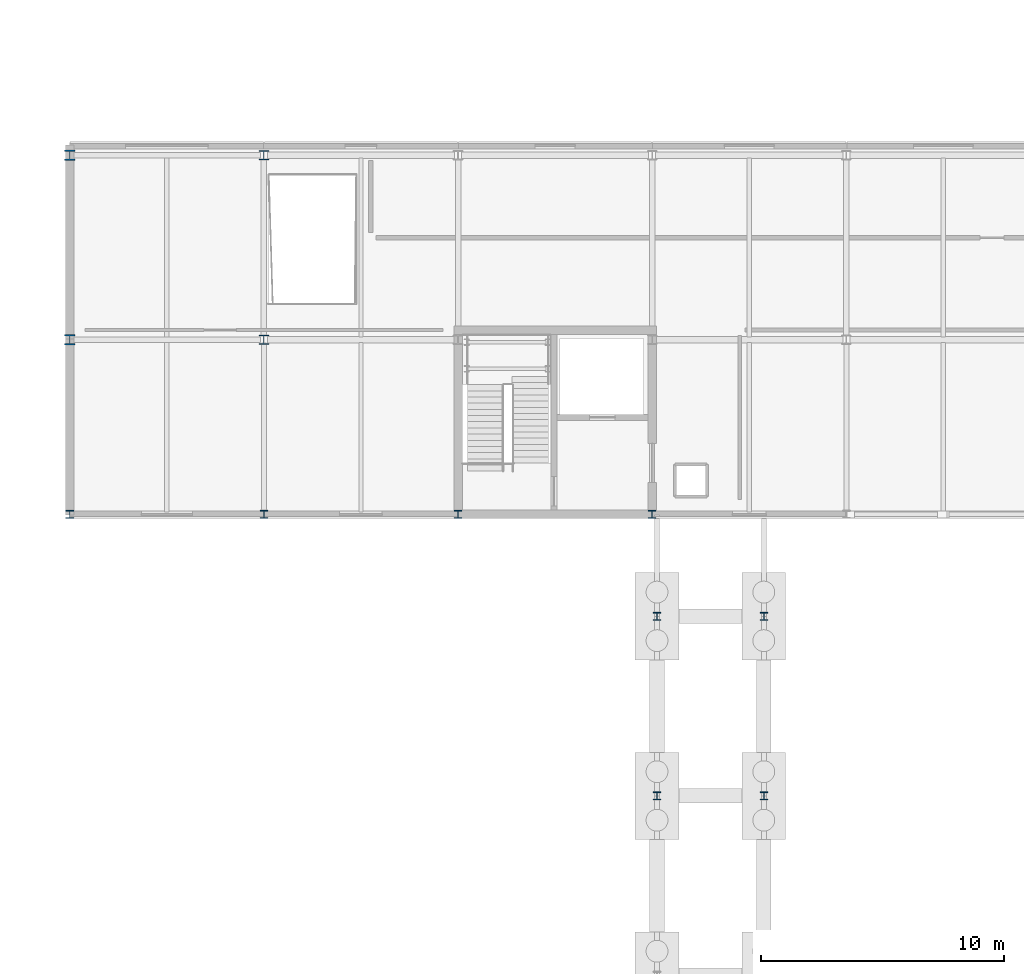
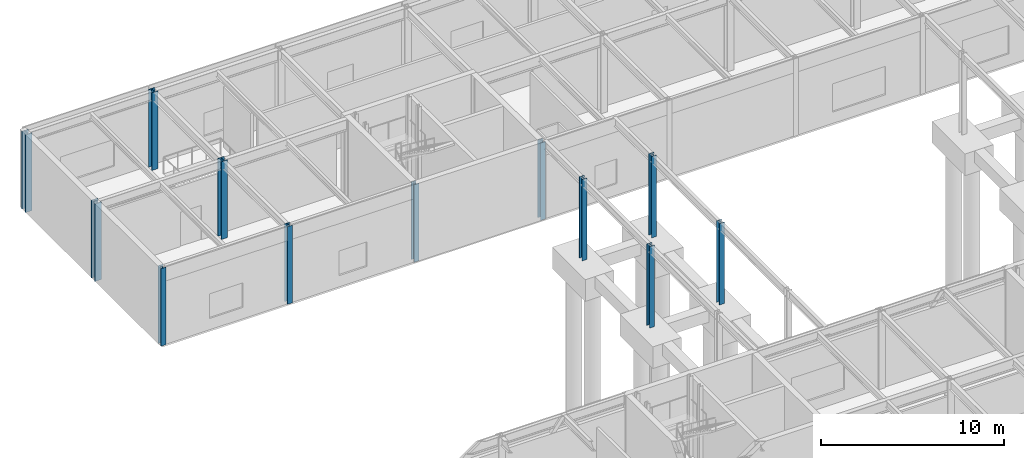
# One storey, part 12 of 62: 12 columns.
"""IFC4 building model written with IfcOpenShell, lengths in metres."""

from ifc_helpers import new_model, si_unit, direction, frame, origin, origin_2d, place, context, subcontext, project, spatial, i_section, extrude, material, material_profile, profile_set, type_object, element, save


model = new_model("IFC4")

# Units and contexts
model_context = context("Model", 3, precision=1e-05, world=origin(), true_north=direction((0.0, 1.0)))
body_context = subcontext(model_context, "Body", "Model", "MODEL_VIEW")
ifc_project = project(units=[si_unit("LENGTHUNIT", "METRE"), si_unit("AREAUNIT", "SQUARE_METRE"), si_unit("VOLUMEUNIT", "CUBIC_METRE"), si_unit("PLANEANGLEUNIT", "RADIAN"), si_unit("MASSUNIT", "GRAM", prefix="KILO")], contexts=[model_context])

# Site, building, storey
site_placement = place(None, origin())
site = spatial("IfcSite", under=ifc_project, at=site_placement, CompositionType="ELEMENT")
building_placement = place(site_placement, origin())
building = spatial("IfcBuilding", under=site, at=building_placement, Name="Zulena Civic Courthouse", CompositionType="ELEMENT")
storey_placement = place(building_placement, origin())
storey = spatial("IfcBuildingStorey", under=building, at=storey_placement, Name="L00", CompositionType="ELEMENT", Elevation=0.0)

# Columns
ifc_material = material(Name="Steel ASTM A992 Grade 50", Category="steel")
ifc_material_profile_1 = material_profile(ifc_material, i_section(OverallWidth=0.31298828125, OverallDepth=0.3330078125, WebThickness=0.01806640625, FlangeThickness=0.0283203125, FilletRadius=0.01513671875, at=origin_2d()), Name="W12X120")
ifc_profile_set_1 = profile_set([ifc_material_profile_1], Name="Steel ASTM A992 Grade 50")
column_type_1 = type_object("IfcColumnType", Name="Col_W12X120", PredefinedType="COLUMN", material=ifc_profile_set_1)
for number, where, z_axis, x_axis, name in (
    (1, (4.0, 46.0, 0.0), (0.0, 0.0, 1.0), (1.0, 0.0, 0.0), "col:V5:L00:4.0:46.0"),
    (2, (12.0, 46.0, 0.0), (0.0, 0.0, 1.0), (1.0, 0.0, 0.0), "col:V5:L00:12.0:46.0"),
    (3, (20.0, 46.0, 0.0), (0.0, 0.0, 1.0), (1.0, 0.0, 0.0), "col:V5:L00:20.0:46.0"),
    (4, (28.0, 46.0, 0.0), (0.0, 0.0, 1.0), (1.0, 0.0, 0.0), "col:V5:L00:28.0:46.0"),
):
    element("IfcColumn", number, at=place(storey_placement, frame(where, z_axis=z_axis, x_axis=x_axis)), inside=storey, type_object=column_type_1, Name=name, PredefinedType="COLUMN", context=body_context, shape_type="SweptSolid", body=[
        extrude(i_section(OverallWidth=0.31298828125, OverallDepth=0.3330078125, WebThickness=0.01806640625, FlangeThickness=0.0283203125, FilletRadius=0.01513671875, at=origin_2d()), origin(), (0.0, 0.0, 1.0), 5.18505859375),
    ])
for number, where, z_axis, x_axis, name in (
    (5, (28.199951171875, 34.39990234375, -0.22998046875), (0.0, 0.0, 1.0), (1.0, 0.0, 0.0), "col:bridge:BR-52J:L00:28.20:34.40"),
    (6, (28.199951171875, 41.800048828125, -0.22998046875), (0.0, 0.0, 1.0), (1.0, 0.0, 0.0), "col:bridge:BR-52J:L00:28.20:41.80"),
    (7, (32.60009765625, 34.39990234375, -0.22998046875), (0.0, 0.0, 1.0), (1.0, 0.0, 0.0), "col:bridge:BR-52J:L00:32.60:34.40"),
    (8, (32.60009765625, 41.800048828125, -0.22998046875), (0.0, 0.0, 1.0), (1.0, 0.0, 0.0), "col:bridge:BR-52J:L00:32.60:41.80"),
):
    element("IfcColumn", number, at=place(storey_placement, frame(where, z_axis=z_axis, x_axis=x_axis)), inside=storey, type_object=column_type_1, Name=name, PredefinedType="COLUMN", context=body_context, shape_type="SweptSolid", body=[
        extrude(i_section(OverallWidth=0.31298828125, OverallDepth=0.3330078125, WebThickness=0.01806640625, FlangeThickness=0.0283203125, FilletRadius=0.01513671875, at=origin_2d()), origin(), (0.0, 0.0, 1.0), 5.43505859375),
    ])
ifc_material_profile_2 = material_profile(ifc_material, i_section(OverallWidth=0.40087890625, OverallDepth=0.39892578125, WebThickness=0.02490234375, FlangeThickness=0.03955078125, FilletRadius=0.01513671875, at=origin_2d()), Name="W14X211")
ifc_profile_set_2 = profile_set([ifc_material_profile_2], Name="Steel ASTM A992 Grade 50")
column_type_2 = type_object("IfcColumnType", Name="Col_W14X211", PredefinedType="COLUMN", material=ifc_profile_set_2)
for number, where, z_axis, x_axis, name in (
    (9, (12.0, 53.199951171875, 0.0), (0.0, 0.0, 1.0), (1.0, 0.0, 0.0), "col:V5:L00:12.0:53.2"),
    (10, (12.0, 60.800048828125, 0.0), (0.0, 0.0, 1.0), (1.0, 0.0, 0.0), "col:V5:L00:12.0:60.8"),
):
    element("IfcColumn", number, at=place(storey_placement, frame(where, z_axis=z_axis, x_axis=x_axis)), inside=storey, type_object=column_type_2, Name=name, PredefinedType="COLUMN", context=body_context, shape_type="SweptSolid", body=[
        extrude(i_section(OverallWidth=0.40087890625, OverallDepth=0.39892578125, WebThickness=0.02490234375, FlangeThickness=0.03955078125, FilletRadius=0.01513671875, at=origin_2d()), origin(), (0.0, 0.0, 1.0), 5.18505859375),
    ])
ifc_material_profile_3 = material_profile(ifc_material, i_section(OverallWidth=0.412109375, OverallDepth=0.43505859375, WebThickness=0.035888671875, FlangeThickness=0.057373046875, FilletRadius=0.01513671875, at=origin_2d()), Name="W14X311")
ifc_profile_set_3 = profile_set([ifc_material_profile_3], Name="Steel ASTM A992 Grade 50")
column_type_3 = type_object("IfcColumnType", Name="Col_W14X311", PredefinedType="COLUMN", material=ifc_profile_set_3)
for number, where, z_axis, x_axis, name in (
    (11, (4.0, 53.199951171875, 0.0), (0.0, 0.0, 1.0), (1.0, 0.0, 0.0), "col:V5:L00:4.0:53.2"),
    (12, (4.0, 60.800048828125, 0.0), (0.0, 0.0, 1.0), (1.0, 0.0, 0.0), "col:V5:L00:4.0:60.8"),
):
    element("IfcColumn", number, at=place(storey_placement, frame(where, z_axis=z_axis, x_axis=x_axis)), inside=storey, type_object=column_type_3, Name=name, PredefinedType="COLUMN", context=body_context, shape_type="SweptSolid", body=[
        extrude(i_section(OverallWidth=0.412109375, OverallDepth=0.43505859375, WebThickness=0.035888671875, FlangeThickness=0.057373046875, FilletRadius=0.01513671875, at=origin_2d()), origin(), (0.0, 0.0, 1.0), 5.18505859375),
    ])

save(model, "model.ifc")
